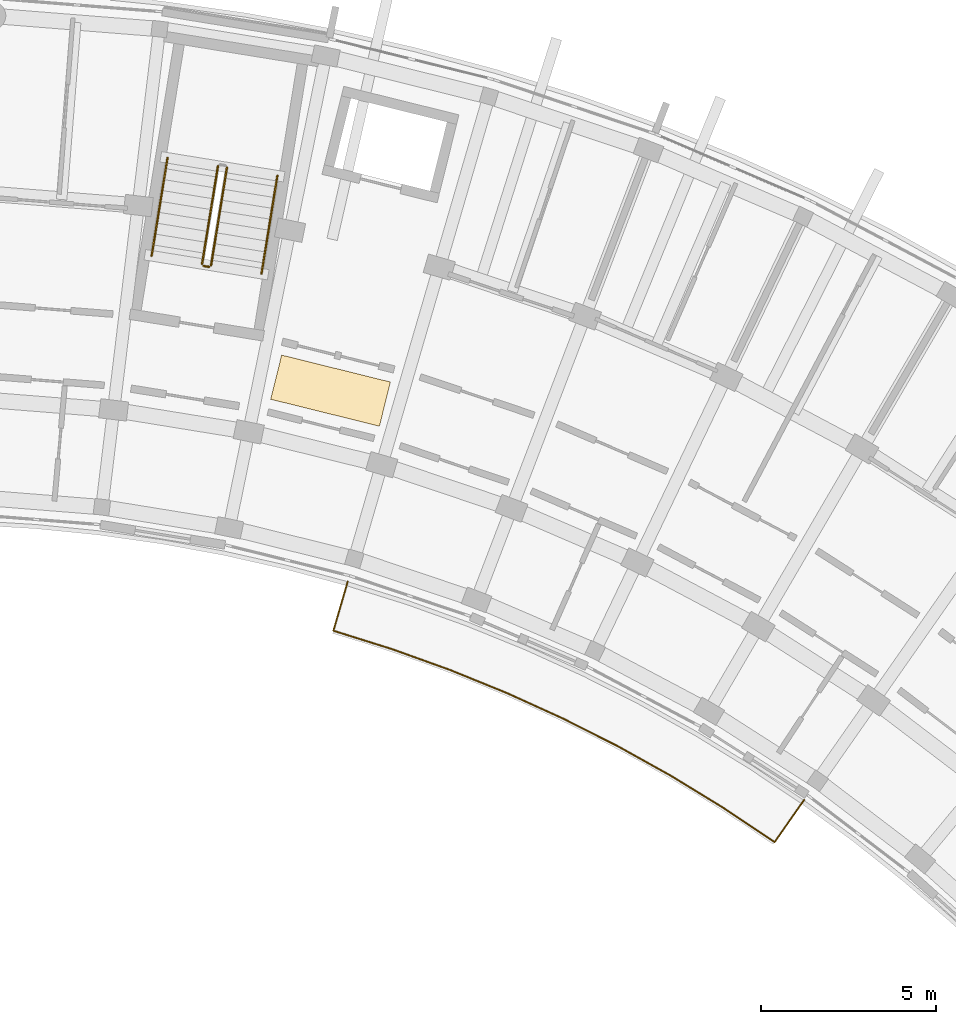
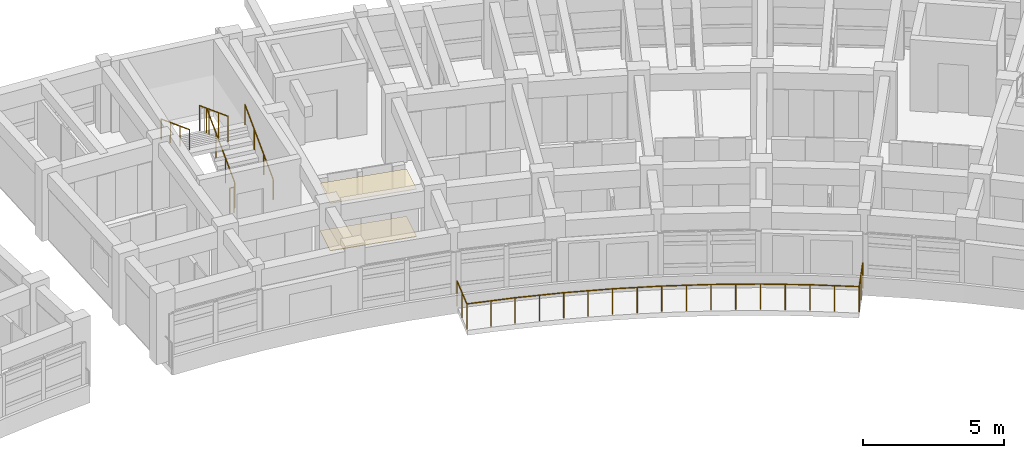
# One storey, part 45 of 56: 6 railings, 2 coverings.
"""IFC4 building model written with IfcOpenShell, lengths in metres."""

from ifc_helpers import new_model, si_unit, direction, frame, origin, origin_2d, place, context, subcontext, project, spatial, rectangle, circle, extrude, material, layer, layer_set, type_object, element, save


model = new_model("IFC4")

# Units and contexts
model_context = context("Model", 3, precision=1e-05, world=origin(), true_north=direction((0.0, 1.0)))
body_context = subcontext(model_context, "Body", "Model", "MODEL_VIEW")
ifc_project = project(units=[si_unit("LENGTHUNIT", "METRE"), si_unit("AREAUNIT", "SQUARE_METRE"), si_unit("VOLUMEUNIT", "CUBIC_METRE"), si_unit("PLANEANGLEUNIT", "RADIAN"), si_unit("MASSUNIT", "GRAM", prefix="KILO")], contexts=[model_context])

# Site, building, storey
site_placement = place(None, origin())
site = spatial("IfcSite", under=ifc_project, at=site_placement, CompositionType="ELEMENT")
building_placement = place(site_placement, origin())
building = spatial("IfcBuilding", under=site, at=building_placement, Name="Zimvara Arc Housing Community", CompositionType="ELEMENT")
storey_placement = place(building_placement, frame((0.0, 0.0, 17.39990234375)))
storey = spatial("IfcBuildingStorey", under=building, at=storey_placement, Name="L05", CompositionType="ELEMENT", Elevation=17.39990234375)

# Coverings
ifc_material_1 = material(Name="Perforated Acoustic Ceiling Board")
ifc_layer_1 = layer(ifc_material_1, 0.02197265625)
ifc_layer_set_1 = layer_set([ifc_layer_1], Name="Perforated Acoustic Ceiling Board")
covering_type_1 = type_object("IfcCoveringType", Name="COV-CEIL-02", PredefinedType="CEILING", material=ifc_layer_set_1)
covering_1_placement = place(storey_placement, frame((56.938232421875, 92.625, 2.05810546875), z_axis=(0.0, 0.0, 1.0), x_axis=(0.240228042477, 0.970716481578, 0.0)))
element("IfcCovering", 1, at=covering_1_placement, inside=storey, type_object=covering_type_1, Name="ceil:blkB:L05", PredefinedType="CEILING", context=body_context, shape_type="SweptSolid", body=[
    extrude(rectangle(XDim=1.300048828125, YDim=3.199951171875, at=origin_2d()), origin(), (0.0, 0.0, 1.0), 0.02197265625),
])
ifc_material_2 = material(Name="Polished Coastal Sand Terrazzo")
ifc_layer_2 = layer(ifc_material_2, 0.02392578125)
ifc_layer_set_2 = layer_set([ifc_layer_2], Name="Polished Coastal Sand Terrazzo")
covering_type_2 = type_object("IfcCoveringType", Name="COV-FLOR-02", PredefinedType="FLOORING", material=ifc_layer_set_2)
covering_2_placement = place(storey_placement, frame((56.938232421875, 92.625, 0.000244140625), z_axis=(0.0, 0.0, 1.0), x_axis=(0.240228042477, 0.970716481578, 0.0)))
element("IfcCovering", 2, at=covering_2_placement, inside=storey, type_object=covering_type_2, Name="flor:blkB:L05", PredefinedType="FLOORING", context=body_context, shape_type="SweptSolid", body=[
    extrude(rectangle(XDim=1.300048828125, YDim=3.199951171875, at=origin_2d()), origin(), (0.0, 0.0, 1.0), 0.02392578125),
])

# Railings
ifc_material_3 = material(Name="Anodised Aluminium AW-6063", Category="aluminium")
railing_type_1 = type_object("IfcRailingType", Name="RLG-BAL-1120", PredefinedType="BALUSTRADE", material=ifc_material_3)
railing_1_placement = place(storey_placement, frame((57.430908203125, 87.17626953125, 0.0)))
element("IfcRailing", 3, at=railing_1_placement, inside=storey, type_object=railing_type_1, Name="rlg:blkB:L05:bal_in_guard", PredefinedType="BALUSTRADE", context=body_context, shape_type="SweptSolid", body=[
    extrude(circle(Radius=0.02392578125, at=origin_2d()), frame((0.0, 0.0, 1.09619140625), z_axis=(-0.279719338513, -0.960081815087, 0.0), x_axis=(0.960081815087, -0.279719338513, 0.0)), (0.0, 0.0, 1.0), 1.4697265625),
    extrude(circle(Radius=0.02392578125, at=origin_2d()), frame((-0.4111328125, -1.4111328125, 1.09619140625), z_axis=(0.954192435663, -0.299193575672, 0.0), x_axis=(0.299193575672, 0.954192435663, 0.0)), (0.0, 0.0, 1.0), 1.755126953125),
    extrude(circle(Radius=0.02392578125, at=origin_2d()), frame((1.263671875, -1.936279296875, 1.09619140625), z_axis=(0.941158376395, -0.33796584227, 0.0), x_axis=(0.33796584227, 0.941158376395, 0.0)), (0.0, 0.0, 1.0), 1.75537109375),
    extrude(circle(Radius=0.02392578125, at=origin_2d()), frame((2.915771484375, -2.529541015625, 1.09619140625), z_axis=(0.926565071811, -0.376134507458, 0.0), x_axis=(0.376134507458, 0.926565071811, 0.0)), (0.0, 0.0, 1.0), 1.755126953125),
    extrude(circle(Radius=0.02392578125, at=origin_2d()), frame((4.5419921875, -3.189697265625, 1.09619140625), z_axis=(0.91049504579, -0.413519977258, 0.0), x_axis=(0.413519977258, 0.91049504579, 0.0)), (0.0, 0.0, 1.0), 1.755126953125),
    extrude(circle(Radius=0.02392578125, at=origin_2d()), frame((6.14013671875, -3.91552734375, 1.09619140625), z_axis=(0.892835912271, -0.450382097512, 0.0), x_axis=(0.450382097512, 0.892835912271, 0.0)), (0.0, 0.0, 1.0), 1.755126953125),
    extrude(circle(Radius=0.02392578125, at=origin_2d()), frame((7.707275390625, -4.7060546875, 1.09619140625), z_axis=(0.873651601958, -0.486552030513, 0.0), x_axis=(0.486552030513, 0.873651601958, 0.0)), (0.0, 0.0, 1.0), 1.755126953125),
    extrude(circle(Radius=0.02392578125, at=origin_2d()), frame((9.24072265625, -5.56005859375, 1.09619140625), z_axis=(0.853092665747, -0.52175943082, 0.0), x_axis=(0.52175943082, 0.853092665747, 0.0)), (0.0, 0.0, 1.0), 1.755126953125),
    extrude(circle(Radius=0.02392578125, at=origin_2d()), frame((10.738037109375, -6.475830078125, 1.09619140625), z_axis=(0.83110751259, -0.556111771604, 0.0), x_axis=(0.556111771604, 0.83110751259, 0.0)), (0.0, 0.0, 1.0), 1.755126953125),
    extrude(circle(Radius=0.02392578125, at=origin_2d()), frame((12.19677734375, -7.451904296875, 1.09619140625), z_axis=(0.572960666414, 0.819582866306, 0.0), x_axis=(-0.819582866306, 0.572960666414, 0.0)), (0.0, 0.0, 1.0), 1.469970703125),
    extrude(circle(Radius=0.02099609375, at=origin_2d()), origin(), (0.0, 0.0, 1.0), 1.072021484375),
    extrude(circle(Radius=0.02099609375, at=origin_2d()), frame((-0.20556640625, -0.70556640625, 0.0)), (0.0, 0.0, 1.0), 1.072021484375),
    extrude(circle(Radius=0.02099609375, at=origin_2d()), frame((-0.4111328125, -1.4111328125, 0.0)), (0.0, 0.0, 1.0), 1.072021484375),
    extrude(circle(Radius=0.02099609375, at=origin_2d()), frame((0.42626953125, -1.673828125, 0.0)), (0.0, 0.0, 1.0), 1.072021484375),
    extrude(circle(Radius=0.02099609375, at=origin_2d()), frame((1.263671875, -1.936279296875, 0.0)), (0.0, 0.0, 1.0), 1.072021484375),
    extrude(circle(Radius=0.02099609375, at=origin_2d()), frame((2.08984375, -2.23291015625, 0.0)), (0.0, 0.0, 1.0), 1.072021484375),
    extrude(circle(Radius=0.02099609375, at=origin_2d()), frame((2.915771484375, -2.529541015625, 0.0)), (0.0, 0.0, 1.0), 1.072021484375),
    extrude(circle(Radius=0.02099609375, at=origin_2d()), frame((3.72900390625, -2.859619140625, 0.0)), (0.0, 0.0, 1.0), 1.072021484375),
    extrude(circle(Radius=0.02099609375, at=origin_2d()), frame((4.5419921875, -3.189697265625, 0.0)), (0.0, 0.0, 1.0), 1.072021484375),
    extrude(circle(Radius=0.02099609375, at=origin_2d()), frame((5.341064453125, -3.552734375, 0.0)), (0.0, 0.0, 1.0), 1.072021484375),
    extrude(circle(Radius=0.02099609375, at=origin_2d()), frame((6.14013671875, -3.91552734375, 0.0)), (0.0, 0.0, 1.0), 1.072021484375),
    extrude(circle(Radius=0.02099609375, at=origin_2d()), frame((6.923828125, -4.310791015625, 0.0)), (0.0, 0.0, 1.0), 1.072021484375),
    extrude(circle(Radius=0.02099609375, at=origin_2d()), frame((7.707275390625, -4.7060546875, 0.0)), (0.0, 0.0, 1.0), 1.072021484375),
    extrude(circle(Radius=0.02099609375, at=origin_2d()), frame((8.47412109375, -5.133056640625, 0.0)), (0.0, 0.0, 1.0), 1.072021484375),
    extrude(circle(Radius=0.02099609375, at=origin_2d()), frame((9.24072265625, -5.56005859375, 0.0)), (0.0, 0.0, 1.0), 1.072021484375),
    extrude(circle(Radius=0.02099609375, at=origin_2d()), frame((9.9892578125, -6.01806640625, 0.0)), (0.0, 0.0, 1.0), 1.072021484375),
    extrude(circle(Radius=0.02099609375, at=origin_2d()), frame((10.738037109375, -6.475830078125, 0.0)), (0.0, 0.0, 1.0), 1.072021484375),
    extrude(circle(Radius=0.02099609375, at=origin_2d()), frame((11.46728515625, -6.9638671875, 0.0)), (0.0, 0.0, 1.0), 1.072021484375),
    extrude(circle(Radius=0.02099609375, at=origin_2d()), frame((12.19677734375, -7.451904296875, 0.0)), (0.0, 0.0, 1.0), 1.072021484375),
    extrude(circle(Radius=0.02099609375, at=origin_2d()), frame((12.617919921875, -6.849609375, 0.0)), (0.0, 0.0, 1.0), 1.072021484375),
    extrude(circle(Radius=0.02099609375, at=origin_2d()), frame((13.0390625, -6.2470703125, 0.0)), (0.0, 0.0, 1.0), 1.072021484375),
])
railing_2_placement = place(storey_placement, frame((53.524169921875, 96.2021484375, 0.155029296875)))
element("IfcRailing", 4, at=railing_2_placement, inside=storey, type_object=railing_type_1, Name="L05 ST-B1 stair guard 1", PredefinedType="BALUSTRADE", context=body_context, shape_type="SweptSolid", body=[
    extrude(circle(Radius=0.02392578125, at=origin_2d()), frame((0.0, 0.0, 1.09619140625), z_axis=(0.143721784145, 0.885666177347, 0.441519502474), x_axis=(-0.987087819028, 0.160180016, 0.0)), (0.0, 0.0, 1.0), 3.15966796875),
    extrude(circle(Radius=0.02099609375, at=origin_2d()), origin(), (0.0, 0.0, 1.0), 1.072021484375),
    extrude(circle(Radius=0.02099609375, at=origin_2d()), frame((0.1513671875, 0.932861328125, 0.465087890625)), (0.0, 0.0, 1.0), 1.072021484375),
    extrude(circle(Radius=0.02099609375, at=origin_2d()), frame((0.302734375, 1.865478515625, 0.929931640625)), (0.0, 0.0, 1.0), 1.072021484375),
    extrude(circle(Radius=0.02099609375, at=origin_2d()), frame((0.4541015625, 2.79833984375, 1.39501953125)), (0.0, 0.0, 1.0), 1.072021484375),
])
railing_3_placement = place(storey_placement, frame((53.7216796875, 99.042236328125, 1.705078125)))
element("IfcRailing", 5, at=railing_3_placement, inside=storey, type_object=railing_type_1, Name="L05 ST-B1 stair guard 3", PredefinedType="BALUSTRADE", context=body_context, shape_type="SweptSolid", body=[
    extrude(circle(Radius=0.02392578125, at=origin_2d()), frame((0.0, 0.0, 1.09619140625), z_axis=(-0.143721784145, -0.885666177347, 0.441519502474), x_axis=(0.987087819028, -0.160180016, 0.0)), (0.0, 0.0, 1.0), 3.15966796875),
    extrude(circle(Radius=0.02099609375, at=origin_2d()), origin(), (0.0, 0.0, 1.0), 1.072021484375),
    extrude(circle(Radius=0.02099609375, at=origin_2d()), frame((-0.1513671875, -0.932861328125, 0.465087890625)), (0.0, 0.0, 1.0), 1.072021484375),
    extrude(circle(Radius=0.02099609375, at=origin_2d()), frame((-0.302734375, -1.865478515625, 0.929931640625)), (0.0, 0.0, 1.0), 1.072021484375),
    extrude(circle(Radius=0.02099609375, at=origin_2d()), frame((-0.4541015625, -2.79833984375, 1.39501953125)), (0.0, 0.0, 1.0), 1.072021484375),
])
railing_4_placement = place(storey_placement, frame((53.466796875, 96.160888671875, 0.0)))
element("IfcRailing", 6, at=railing_4_placement, inside=storey, type_object=railing_type_1, Name="L05 ST-B1 stair guard 4", PredefinedType="BALUSTRADE", context=body_context, shape_type="SweptSolid", body=[
    extrude(circle(Radius=0.02392578125, at=origin_2d()), frame((0.0, 0.0, 1.09619140625), z_axis=(-0.987085924886, 0.160191687964, 0.0), x_axis=(-0.160191687964, -0.987085924886, 0.0)), (0.0, 0.0, 1.0), 0.159912109375),
    extrude(circle(Radius=0.02099609375, at=origin_2d()), origin(), (0.0, 0.0, 1.0), 1.072021484375),
    extrude(circle(Radius=0.02099609375, at=origin_2d()), frame((-0.157958984375, 0.025634765625, 0.0)), (0.0, 0.0, 1.0), 1.072021484375),
])
ifc_material_4 = material(Name="Anodised Aluminium AW-6063", Category="aluminium")
railing_type_2 = type_object("IfcRailingType", Name="RLG-HND-900", PredefinedType="HANDRAIL", material=ifc_material_4)
railing_5_placement = place(storey_placement, frame((54.96533203125, 95.96826171875, 0.155029296875)))
element("IfcRailing", 7, at=railing_5_placement, inside=storey, type_object=railing_type_2, Name="L05 ST-B1 stair handrail 1", PredefinedType="HANDRAIL", context=body_context, shape_type="SweptSolid", body=[
    extrude(circle(Radius=0.02392578125, at=origin_2d()), frame((0.0, 0.0, 0.8759765625), z_axis=(0.143721784145, 0.885666177347, 0.441519502474), x_axis=(-0.987087819028, 0.160180016, 0.0)), (0.0, 0.0, 1.0), 3.15966796875),
    extrude(circle(Radius=0.02099609375, at=origin_2d()), origin(), (0.0, 0.0, 1.0), 0.851806640625),
    extrude(circle(Radius=0.02099609375, at=origin_2d()), frame((0.1513671875, 0.932861328125, 0.465087890625)), (0.0, 0.0, 1.0), 0.851806640625),
    extrude(circle(Radius=0.02099609375, at=origin_2d()), frame((0.302734375, 1.865478515625, 0.929931640625)), (0.0, 0.0, 1.0), 0.851806640625),
    extrude(circle(Radius=0.02099609375, at=origin_2d()), frame((0.4541015625, 2.79833984375, 1.39501953125)), (0.0, 0.0, 1.0), 0.851806640625),
])
railing_6_placement = place(storey_placement, frame((52.280517578125, 99.276123046875, 1.705078125)))
element("IfcRailing", 8, at=railing_6_placement, inside=storey, type_object=railing_type_2, Name="L05 ST-B1 stair handrail 2", PredefinedType="HANDRAIL", context=body_context, shape_type="SweptSolid", body=[
    extrude(circle(Radius=0.02392578125, at=origin_2d()), frame((0.0, 0.0, 0.8759765625), z_axis=(-0.143721784145, -0.885666177347, 0.441519502474), x_axis=(0.987087819028, -0.160180016, 0.0)), (0.0, 0.0, 1.0), 3.15966796875),
    extrude(circle(Radius=0.02099609375, at=origin_2d()), origin(), (0.0, 0.0, 1.0), 0.851806640625),
    extrude(circle(Radius=0.02099609375, at=origin_2d()), frame((-0.1513671875, -0.932861328125, 0.465087890625)), (0.0, 0.0, 1.0), 0.851806640625),
    extrude(circle(Radius=0.02099609375, at=origin_2d()), frame((-0.302734375, -1.865478515625, 0.929931640625)), (0.0, 0.0, 1.0), 0.851806640625),
    extrude(circle(Radius=0.02099609375, at=origin_2d()), frame((-0.4541015625, -2.79833984375, 1.39501953125)), (0.0, 0.0, 1.0), 0.851806640625),
])

save(model, "model.ifc")
